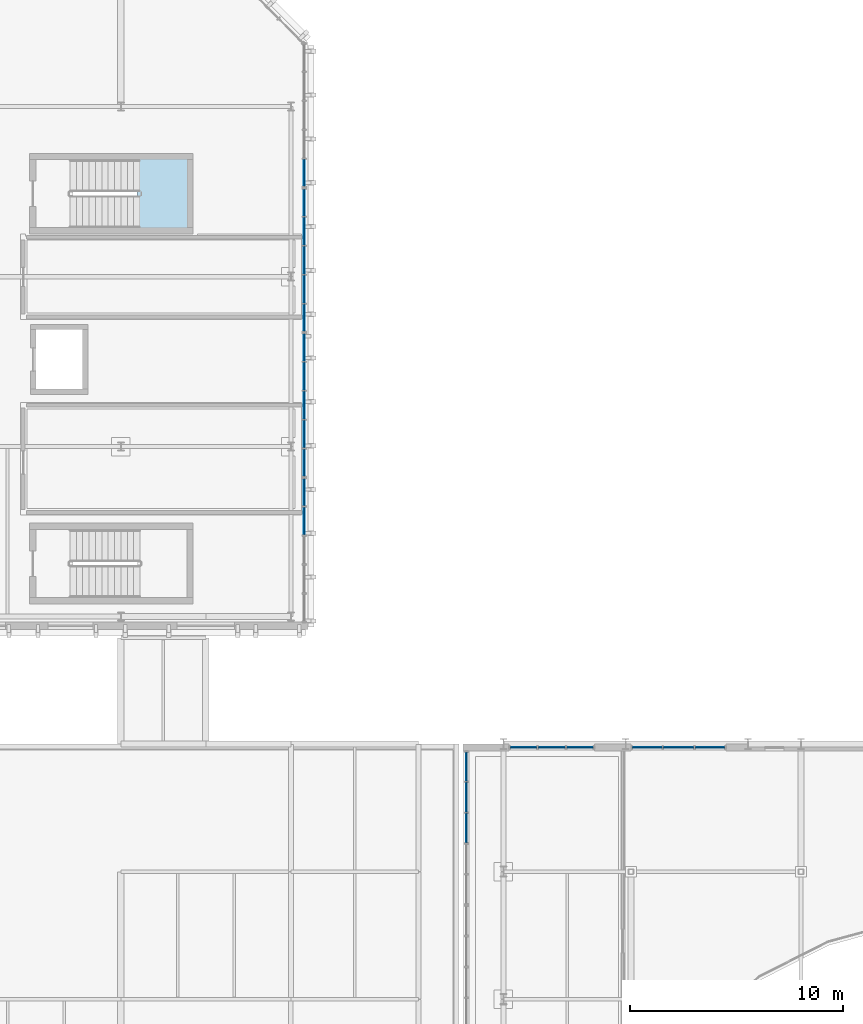
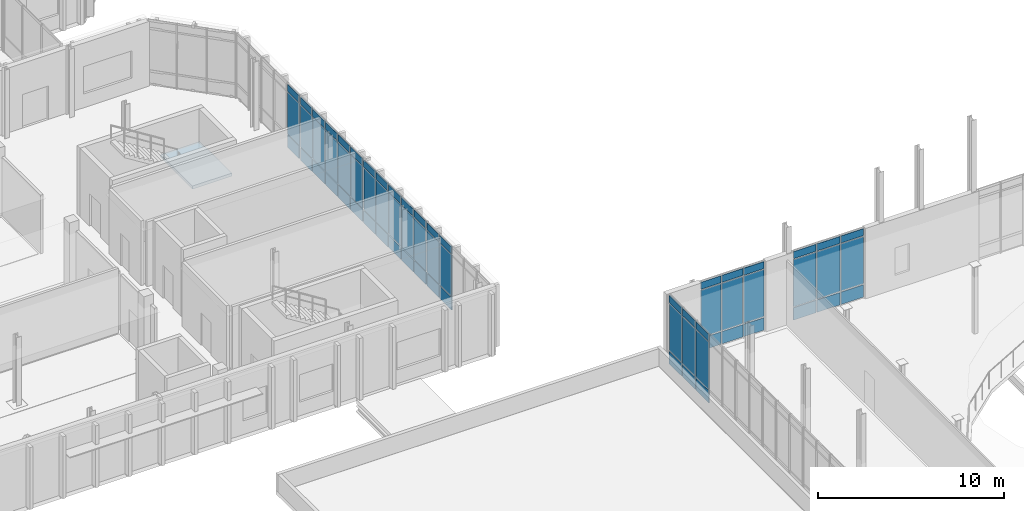
# One storey, part 46 of 86: 66 plates, 1 slab, 8 elements without a shape of their own.
"""IFC4 building model written with IfcOpenShell, lengths in metres."""

from ifc_helpers import new_model, si_unit, direction, frame, origin, origin_2d, place, context, subcontext, project, spatial, polyline, rectangle, outline, extrude, material, layer, layer_set, type_object, element, aggregate, save


model = new_model("IFC4")

# Units and contexts
model_context = context("Model", 3, precision=1e-05, world=origin(), true_north=direction((0.0, 1.0)))
body_context = subcontext(model_context, "Body", "Model", "MODEL_VIEW")
ifc_project = project(units=[si_unit("LENGTHUNIT", "METRE"), si_unit("AREAUNIT", "SQUARE_METRE"), si_unit("VOLUMEUNIT", "CUBIC_METRE"), si_unit("PLANEANGLEUNIT", "RADIAN"), si_unit("MASSUNIT", "GRAM", prefix="KILO")], contexts=[model_context])

# Site, building, storey
site_placement = place(None, origin())
site = spatial("IfcSite", under=ifc_project, at=site_placement, CompositionType="ELEMENT")
building_placement = place(site_placement, origin())
building = spatial("IfcBuilding", under=site, at=building_placement, Name="Cymarion Research Institute", CompositionType="ELEMENT")
storey_placement = place(building_placement, frame((0.0, 0.0, 13.800048828125)))
storey = spatial("IfcBuildingStorey", under=building, at=storey_placement, Name="L03", CompositionType="ELEMENT", Elevation=13.800048828125)

# Curtain wall, plates
ifc_material_1 = material(Name="Anodised aluminium unitised curtain wall with Low-E glazing", Category="aluminium")
curtain_wall_type_1 = type_object("IfcCurtainWallType", Name="UNITISED CURTAIN WALL CW32 4460X4620", PredefinedType="NOTDEFINED", material=ifc_material_1)
curtain_wall_1_placement = place(storey_placement, origin())
curtain_wall_1 = element("IfcCurtainWall", 1, at=curtain_wall_1_placement, inside=storey, type_object=curtain_wall_type_1, Name="L03 V2 unitised curtain wall CW32 #145", PredefinedType="NOTDEFINED")
ifc_material_2 = material(Name="Insulated anodised aluminium spandrel panel", Category="aluminium")
ifc_layer_1 = layer(ifc_material_2, 0.06005859375)
ifc_layer_set_1 = layer_set([ifc_layer_1], Name="Insulated anodised aluminium spandrel panel")
plate_type_1 = type_object("IfcPlateType", Name="INSULATED ALUMINIUM SPANDREL PANEL SP01 60MM", PredefinedType="SHEET", material=ifc_layer_set_1)
plate_1_placement = place(storey_placement, frame((66.3154296875, 41.340087890625, 0.059814453125), z_axis=(0.0, 0.0, 1.0), x_axis=(-1.0, 0.0, 0.0)))
plate_1 = element("IfcPlate", 2, at=plate_1_placement, type_object=plate_type_1, Name="CW32 panel 1.1", PredefinedType="SHEET", context=body_context, shape_type="SweptSolid", body=[
    extrude(rectangle(XDim=1.398193359375, YDim=0.06005859375, at=origin_2d()), origin(), (0.0, 0.0, 1.0), 0.81005859375),
])
plate_2_placement = place(storey_placement, frame((66.3154296875, 41.340087890625, 4.099853515625), z_axis=(0.0, 0.0, 1.0), x_axis=(-1.0, 0.0, 0.0)))
plate_2 = element("IfcPlate", 3, at=plate_2_placement, type_object=plate_type_1, Name="CW32 panel 1.3", PredefinedType="SHEET", context=body_context, shape_type="SweptSolid", body=[
    extrude(rectangle(XDim=1.398193359375, YDim=0.06005859375, at=origin_2d()), origin(), (0.0, 0.0, 1.0), 0.4599609375),
])
plate_3_placement = place(storey_placement, frame((64.84228515625, 41.340087890625, 0.059814453125), z_axis=(0.0, 0.0, 1.0), x_axis=(-1.0, 0.0, 0.0)))
plate_3 = element("IfcPlate", 4, at=plate_3_placement, type_object=plate_type_1, Name="CW32 panel 2.1", PredefinedType="SHEET", context=body_context, shape_type="SweptSolid", body=[
    extrude(rectangle(XDim=1.42822265625, YDim=0.06005859375, at=origin_2d()), origin(), (0.0, 0.0, 1.0), 0.81005859375),
])
plate_4_placement = place(storey_placement, frame((64.84228515625, 41.340087890625, 4.099853515625), z_axis=(0.0, 0.0, 1.0), x_axis=(-1.0, 0.0, 0.0)))
plate_4 = element("IfcPlate", 5, at=plate_4_placement, type_object=plate_type_1, Name="CW32 panel 2.3", PredefinedType="SHEET", context=body_context, shape_type="SweptSolid", body=[
    extrude(rectangle(XDim=1.42822265625, YDim=0.06005859375, at=origin_2d()), origin(), (0.0, 0.0, 1.0), 0.4599609375),
])
plate_5_placement = place(storey_placement, frame((63.369140625, 41.340087890625, 0.059814453125), z_axis=(0.0, 0.0, 1.0), x_axis=(-1.0, 0.0, 0.0)))
plate_5 = element("IfcPlate", 6, at=plate_5_placement, type_object=plate_type_1, Name="CW32 panel 3.1", PredefinedType="SHEET", context=body_context, shape_type="SweptSolid", body=[
    extrude(rectangle(XDim=1.398193359375, YDim=0.06005859375, at=origin_2d()), origin(), (0.0, 0.0, 1.0), 0.81005859375),
])
plate_6_placement = place(storey_placement, frame((63.369140625, 41.340087890625, 4.099853515625), z_axis=(0.0, 0.0, 1.0), x_axis=(-1.0, 0.0, 0.0)))
plate_6 = element("IfcPlate", 7, at=plate_6_placement, type_object=plate_type_1, Name="CW32 panel 3.3", PredefinedType="SHEET", context=body_context, shape_type="SweptSolid", body=[
    extrude(rectangle(XDim=1.398193359375, YDim=0.06005859375, at=origin_2d()), origin(), (0.0, 0.0, 1.0), 0.4599609375),
])

curtain_wall_type_2 = type_object("IfcCurtainWallType", Name="UNITISED CURTAIN WALL CW33 4030X4620", PredefinedType="NOTDEFINED", material=ifc_material_1)
curtain_wall_2_placement = place(storey_placement, origin())
curtain_wall_2 = element("IfcCurtainWall", 8, at=curtain_wall_2_placement, inside=storey, type_object=curtain_wall_type_2, Name="L03 V2 unitised curtain wall CW33 #146", PredefinedType="NOTDEFINED")
plate_7_placement = place(storey_placement, frame((60.201171875, 41.340087890625, 0.059814453125), z_axis=(0.0, 0.0, 1.0), x_axis=(-1.0, 0.0, 0.0)))
plate_7 = element("IfcPlate", 9, at=plate_7_placement, type_object=plate_type_1, Name="CW33 panel 1.1", PredefinedType="SHEET", context=body_context, shape_type="SweptSolid", body=[
    extrude(rectangle(XDim=1.25244140625, YDim=0.06005859375, at=origin_2d()), origin(), (0.0, 0.0, 1.0), 0.81005859375),
])
plate_8_placement = place(storey_placement, frame((60.201171875, 41.340087890625, 4.099853515625), z_axis=(0.0, 0.0, 1.0), x_axis=(-1.0, 0.0, 0.0)))
plate_8 = element("IfcPlate", 10, at=plate_8_placement, type_object=plate_type_1, Name="CW33 panel 1.3", PredefinedType="SHEET", context=body_context, shape_type="SweptSolid", body=[
    extrude(rectangle(XDim=1.25244140625, YDim=0.06005859375, at=origin_2d()), origin(), (0.0, 0.0, 1.0), 0.4599609375),
])
plate_9_placement = place(storey_placement, frame((58.87353515625, 41.340087890625, 0.059814453125), z_axis=(0.0, 0.0, 1.0), x_axis=(-1.0, 0.0, 0.0)))
plate_9 = element("IfcPlate", 11, at=plate_9_placement, type_object=plate_type_1, Name="CW33 panel 2.1", PredefinedType="SHEET", context=body_context, shape_type="SweptSolid", body=[
    extrude(rectangle(XDim=1.282470703125, YDim=0.06005859375, at=origin_2d()), origin(), (0.0, 0.0, 1.0), 0.81005859375),
])
plate_10_placement = place(storey_placement, frame((58.87353515625, 41.340087890625, 4.099853515625), z_axis=(0.0, 0.0, 1.0), x_axis=(-1.0, 0.0, 0.0)))
plate_10 = element("IfcPlate", 12, at=plate_10_placement, type_object=plate_type_1, Name="CW33 panel 2.3", PredefinedType="SHEET", context=body_context, shape_type="SweptSolid", body=[
    extrude(rectangle(XDim=1.282470703125, YDim=0.06005859375, at=origin_2d()), origin(), (0.0, 0.0, 1.0), 0.4599609375),
])
plate_11_placement = place(storey_placement, frame((57.546142578125, 41.340087890625, 0.059814453125), z_axis=(0.0, 0.0, 1.0), x_axis=(-1.0, 0.0, 0.0)))
plate_11 = element("IfcPlate", 13, at=plate_11_placement, type_object=plate_type_1, Name="CW33 panel 3.1", PredefinedType="SHEET", context=body_context, shape_type="SweptSolid", body=[
    extrude(rectangle(XDim=1.25244140625, YDim=0.06005859375, at=origin_2d()), origin(), (0.0, 0.0, 1.0), 0.81005859375),
])
plate_12_placement = place(storey_placement, frame((57.546142578125, 41.340087890625, 4.099853515625), z_axis=(0.0, 0.0, 1.0), x_axis=(-1.0, 0.0, 0.0)))
plate_12 = element("IfcPlate", 14, at=plate_12_placement, type_object=plate_type_1, Name="CW33 panel 3.3", PredefinedType="SHEET", context=body_context, shape_type="SweptSolid", body=[
    extrude(rectangle(XDim=1.25244140625, YDim=0.06005859375, at=origin_2d()), origin(), (0.0, 0.0, 1.0), 0.4599609375),
])

curtain_wall_type_3 = type_object("IfcCurtainWallType", Name="UNITISED CURTAIN WALL CW34 7260X4620", PredefinedType="NOTDEFINED", material=ifc_material_1)
curtain_wall_3_placement = place(storey_placement, origin())
curtain_wall_3 = element("IfcCurtainWall", 15, at=curtain_wall_3_placement, inside=storey, type_object=curtain_wall_type_3, Name="L03 V2 unitised curtain wall CW34 #147", PredefinedType="NOTDEFINED")
plate_13_placement = place(storey_placement, frame((54.860107421875, 40.439453125, 0.059814453125), z_axis=(0.0, 0.0, 1.0), x_axis=(0.0, -1.0, 0.0)))
plate_13 = element("IfcPlate", 16, at=plate_13_placement, type_object=plate_type_1, Name="CW34 panel 1.1", PredefinedType="SHEET", context=body_context, shape_type="SweptSolid", body=[
    extrude(rectangle(XDim=1.361083984375, YDim=0.06005859375, at=origin_2d()), origin(), (0.0, 0.0, 1.0), 0.81005859375),
])
plate_14_placement = place(storey_placement, frame((54.860107421875, 40.439453125, 4.099853515625), z_axis=(0.0, 0.0, 1.0), x_axis=(0.0, -1.0, 0.0)))
plate_14 = element("IfcPlate", 17, at=plate_14_placement, type_object=plate_type_1, Name="CW34 panel 1.3", PredefinedType="SHEET", context=body_context, shape_type="SweptSolid", body=[
    extrude(rectangle(XDim=1.361083984375, YDim=0.06005859375, at=origin_2d()), origin(), (0.0, 0.0, 1.0), 0.4599609375),
])
plate_15_placement = place(storey_placement, frame((54.860107421875, 39.003173828125, 0.059814453125), z_axis=(0.0, 0.0, 1.0), x_axis=(0.0, -1.0, 0.0)))
plate_15 = element("IfcPlate", 18, at=plate_15_placement, type_object=plate_type_1, Name="CW34 panel 2.1", PredefinedType="SHEET", context=body_context, shape_type="SweptSolid", body=[
    extrude(rectangle(XDim=1.39111328125, YDim=0.06005859375, at=origin_2d()), origin(), (0.0, 0.0, 1.0), 0.81005859375),
])
plate_16_placement = place(storey_placement, frame((54.860107421875, 39.003173828125, 4.099853515625), z_axis=(0.0, 0.0, 1.0), x_axis=(0.0, -1.0, 0.0)))
plate_16 = element("IfcPlate", 19, at=plate_16_placement, type_object=plate_type_1, Name="CW34 panel 2.3", PredefinedType="SHEET", context=body_context, shape_type="SweptSolid", body=[
    extrude(rectangle(XDim=1.39111328125, YDim=0.06005859375, at=origin_2d()), origin(), (0.0, 0.0, 1.0), 0.4599609375),
])
plate_17_placement = place(storey_placement, frame((54.860107421875, 37.552001953125, 0.059814453125), z_axis=(0.0, 0.0, 1.0), x_axis=(0.0, -1.0, 0.0)))
plate_17 = element("IfcPlate", 20, at=plate_17_placement, type_object=plate_type_1, Name="CW34 panel 3.1", PredefinedType="SHEET", context=body_context, shape_type="SweptSolid", body=[
    extrude(rectangle(XDim=1.39111328125, YDim=0.06005859375, at=origin_2d()), origin(), (0.0, 0.0, 1.0), 0.81005859375),
])
plate_18_placement = place(storey_placement, frame((54.860107421875, 37.552001953125, 4.099853515625), z_axis=(0.0, 0.0, 1.0), x_axis=(0.0, -1.0, 0.0)))
plate_18 = element("IfcPlate", 21, at=plate_18_placement, type_object=plate_type_1, Name="CW34 panel 3.3", PredefinedType="SHEET", context=body_context, shape_type="SweptSolid", body=[
    extrude(rectangle(XDim=1.39111328125, YDim=0.06005859375, at=origin_2d()), origin(), (0.0, 0.0, 1.0), 0.4599609375),
])

curtain_wall_type_4 = type_object("IfcCurtainWallType", Name="UNITISED CURTAIN WALL CW20 6820X4250", PredefinedType="NOTDEFINED", material=ifc_material_1)
curtain_wall_4_placement = place(storey_placement, origin())
curtain_wall_4 = element("IfcCurtainWall", 22, at=curtain_wall_4_placement, inside=storey, type_object=curtain_wall_type_4, Name="L03 V4 unitised curtain wall CW20 #152", PredefinedType="NOTDEFINED")
plate_19_placement = place(storey_placement, frame((47.22998046875, 51.99560546875, 0.059814453125), z_axis=(0.0, 0.0, 1.0), x_axis=(0.0, 1.0, 0.0)))
plate_19 = element("IfcPlate", 23, at=plate_19_placement, type_object=plate_type_1, Name="CW20 panel 4.1", PredefinedType="SHEET", context=body_context, shape_type="SweptSolid", body=[
    extrude(rectangle(XDim=1.303955078125, YDim=0.06005859375, at=origin_2d()), origin(), (0.0, 0.0, 1.0), 0.81005859375),
])
plate_20_placement = place(storey_placement, frame((47.22998046875, 51.99560546875, 3.72998046875), z_axis=(0.0, 0.0, 1.0), x_axis=(0.0, 1.0, 0.0)))
plate_20 = element("IfcPlate", 24, at=plate_20_placement, type_object=plate_type_1, Name="CW20 panel 4.3", PredefinedType="SHEET", context=body_context, shape_type="SweptSolid", body=[
    extrude(rectangle(XDim=1.303955078125, YDim=0.06005859375, at=origin_2d()), origin(), (0.0, 0.0, 1.0), 0.4599609375),
])
plate_21_placement = place(storey_placement, frame((47.22998046875, 53.344482421875, 0.059814453125), z_axis=(0.0, 0.0, 1.0), x_axis=(0.0, 1.0, 0.0)))
plate_21 = element("IfcPlate", 25, at=plate_21_placement, type_object=plate_type_1, Name="CW20 panel 5.1", PredefinedType="SHEET", context=body_context, shape_type="SweptSolid", body=[
    extrude(rectangle(XDim=1.27392578125, YDim=0.06005859375, at=origin_2d()), origin(), (0.0, 0.0, 1.0), 0.81005859375),
])
plate_22_placement = place(storey_placement, frame((47.22998046875, 53.344482421875, 3.72998046875), z_axis=(0.0, 0.0, 1.0), x_axis=(0.0, 1.0, 0.0)))
plate_22 = element("IfcPlate", 26, at=plate_22_placement, type_object=plate_type_1, Name="CW20 panel 5.3", PredefinedType="SHEET", context=body_context, shape_type="SweptSolid", body=[
    extrude(rectangle(XDim=1.27392578125, YDim=0.06005859375, at=origin_2d()), origin(), (0.0, 0.0, 1.0), 0.4599609375),
])

curtain_wall_5_placement = place(storey_placement, origin())
curtain_wall_5 = element("IfcCurtainWall", 27, at=curtain_wall_5_placement, inside=storey, type_object=curtain_wall_type_4, Name="L03 V4 unitised curtain wall CW20 #153", PredefinedType="NOTDEFINED")
plate_23_placement = place(storey_placement, frame((47.22998046875, 54.738525390625, 0.059814453125), z_axis=(0.0, 0.0, 1.0), x_axis=(0.0, 1.0, 0.0)))
plate_23 = element("IfcPlate", 28, at=plate_23_placement, type_object=plate_type_1, Name="CW20 panel 1.1", PredefinedType="SHEET", context=body_context, shape_type="SweptSolid", body=[
    extrude(rectangle(XDim=1.27392578125, YDim=0.06005859375, at=origin_2d()), origin(), (0.0, 0.0, 1.0), 0.81005859375),
])
plate_24_placement = place(storey_placement, frame((47.22998046875, 54.738525390625, 3.72998046875), z_axis=(0.0, 0.0, 1.0), x_axis=(0.0, 1.0, 0.0)))
plate_24 = element("IfcPlate", 29, at=plate_24_placement, type_object=plate_type_1, Name="CW20 panel 1.3", PredefinedType="SHEET", context=body_context, shape_type="SweptSolid", body=[
    extrude(rectangle(XDim=1.27392578125, YDim=0.06005859375, at=origin_2d()), origin(), (0.0, 0.0, 1.0), 0.4599609375),
])
plate_25_placement = place(storey_placement, frame((47.22998046875, 56.08740234375, 0.059814453125), z_axis=(0.0, 0.0, 1.0), x_axis=(0.0, 1.0, 0.0)))
plate_25 = element("IfcPlate", 30, at=plate_25_placement, type_object=plate_type_1, Name="CW20 panel 2.1", PredefinedType="SHEET", context=body_context, shape_type="SweptSolid", body=[
    extrude(rectangle(XDim=1.303955078125, YDim=0.06005859375, at=origin_2d()), origin(), (0.0, 0.0, 1.0), 0.81005859375),
])
plate_26_placement = place(storey_placement, frame((47.22998046875, 56.08740234375, 3.72998046875), z_axis=(0.0, 0.0, 1.0), x_axis=(0.0, 1.0, 0.0)))
plate_26 = element("IfcPlate", 31, at=plate_26_placement, type_object=plate_type_1, Name="CW20 panel 2.3", PredefinedType="SHEET", context=body_context, shape_type="SweptSolid", body=[
    extrude(rectangle(XDim=1.303955078125, YDim=0.06005859375, at=origin_2d()), origin(), (0.0, 0.0, 1.0), 0.4599609375),
])
plate_27_placement = place(storey_placement, frame((47.22998046875, 57.451171875, 0.059814453125), z_axis=(0.0, 0.0, 1.0), x_axis=(0.0, 1.0, 0.0)))
plate_27 = element("IfcPlate", 32, at=plate_27_placement, type_object=plate_type_1, Name="CW20 panel 3.1", PredefinedType="SHEET", context=body_context, shape_type="SweptSolid", body=[
    extrude(rectangle(XDim=1.303955078125, YDim=0.06005859375, at=origin_2d()), origin(), (0.0, 0.0, 1.0), 0.81005859375),
])
plate_28_placement = place(storey_placement, frame((47.22998046875, 57.451171875, 3.72998046875), z_axis=(0.0, 0.0, 1.0), x_axis=(0.0, 1.0, 0.0)))
plate_28 = element("IfcPlate", 33, at=plate_28_placement, type_object=plate_type_1, Name="CW20 panel 3.3", PredefinedType="SHEET", context=body_context, shape_type="SweptSolid", body=[
    extrude(rectangle(XDim=1.303955078125, YDim=0.06005859375, at=origin_2d()), origin(), (0.0, 0.0, 1.0), 0.4599609375),
])
plate_29_placement = place(storey_placement, frame((47.22998046875, 58.815185546875, 0.059814453125), z_axis=(0.0, 0.0, 1.0), x_axis=(0.0, 1.0, 0.0)))
plate_29 = element("IfcPlate", 34, at=plate_29_placement, type_object=plate_type_1, Name="CW20 panel 4.1", PredefinedType="SHEET", context=body_context, shape_type="SweptSolid", body=[
    extrude(rectangle(XDim=1.303955078125, YDim=0.06005859375, at=origin_2d()), origin(), (0.0, 0.0, 1.0), 0.81005859375),
])
plate_30_placement = place(storey_placement, frame((47.22998046875, 58.815185546875, 3.72998046875), z_axis=(0.0, 0.0, 1.0), x_axis=(0.0, 1.0, 0.0)))
plate_30 = element("IfcPlate", 35, at=plate_30_placement, type_object=plate_type_1, Name="CW20 panel 4.3", PredefinedType="SHEET", context=body_context, shape_type="SweptSolid", body=[
    extrude(rectangle(XDim=1.303955078125, YDim=0.06005859375, at=origin_2d()), origin(), (0.0, 0.0, 1.0), 0.4599609375),
])
plate_31_placement = place(storey_placement, frame((47.22998046875, 60.1640625, 0.059814453125), z_axis=(0.0, 0.0, 1.0), x_axis=(0.0, 1.0, 0.0)))
plate_31 = element("IfcPlate", 36, at=plate_31_placement, type_object=plate_type_1, Name="CW20 panel 5.1", PredefinedType="SHEET", context=body_context, shape_type="SweptSolid", body=[
    extrude(rectangle(XDim=1.27392578125, YDim=0.06005859375, at=origin_2d()), origin(), (0.0, 0.0, 1.0), 0.81005859375),
])
plate_32_placement = place(storey_placement, frame((47.22998046875, 60.1640625, 3.72998046875), z_axis=(0.0, 0.0, 1.0), x_axis=(0.0, 1.0, 0.0)))
plate_32 = element("IfcPlate", 37, at=plate_32_placement, type_object=plate_type_1, Name="CW20 panel 5.3", PredefinedType="SHEET", context=body_context, shape_type="SweptSolid", body=[
    extrude(rectangle(XDim=1.27392578125, YDim=0.06005859375, at=origin_2d()), origin(), (0.0, 0.0, 1.0), 0.4599609375),
])

curtain_wall_6_placement = place(storey_placement, origin())
curtain_wall_6 = element("IfcCurtainWall", 38, at=curtain_wall_6_placement, inside=storey, type_object=curtain_wall_type_4, Name="L03 V4 unitised curtain wall CW20 #154", PredefinedType="NOTDEFINED")
plate_33_placement = place(storey_placement, frame((47.22998046875, 61.557861328125, 0.059814453125), z_axis=(0.0, 0.0, 1.0), x_axis=(0.0, 1.0, 0.0)))
plate_33 = element("IfcPlate", 39, at=plate_33_placement, type_object=plate_type_1, Name="CW20 panel 1.1", PredefinedType="SHEET", context=body_context, shape_type="SweptSolid", body=[
    extrude(rectangle(XDim=1.27392578125, YDim=0.06005859375, at=origin_2d()), origin(), (0.0, 0.0, 1.0), 0.81005859375),
])
plate_34_placement = place(storey_placement, frame((47.22998046875, 61.557861328125, 3.72998046875), z_axis=(0.0, 0.0, 1.0), x_axis=(0.0, 1.0, 0.0)))
plate_34 = element("IfcPlate", 40, at=plate_34_placement, type_object=plate_type_1, Name="CW20 panel 1.3", PredefinedType="SHEET", context=body_context, shape_type="SweptSolid", body=[
    extrude(rectangle(XDim=1.27392578125, YDim=0.06005859375, at=origin_2d()), origin(), (0.0, 0.0, 1.0), 0.4599609375),
])
plate_35_placement = place(storey_placement, frame((47.22998046875, 62.90673828125, 0.059814453125), z_axis=(0.0, 0.0, 1.0), x_axis=(0.0, 1.0, 0.0)))
plate_35 = element("IfcPlate", 41, at=plate_35_placement, type_object=plate_type_1, Name="CW20 panel 2.1", PredefinedType="SHEET", context=body_context, shape_type="SweptSolid", body=[
    extrude(rectangle(XDim=1.303955078125, YDim=0.06005859375, at=origin_2d()), origin(), (0.0, 0.0, 1.0), 0.81005859375),
])
plate_36_placement = place(storey_placement, frame((47.22998046875, 62.90673828125, 3.72998046875), z_axis=(0.0, 0.0, 1.0), x_axis=(0.0, 1.0, 0.0)))
plate_36 = element("IfcPlate", 42, at=plate_36_placement, type_object=plate_type_1, Name="CW20 panel 2.3", PredefinedType="SHEET", context=body_context, shape_type="SweptSolid", body=[
    extrude(rectangle(XDim=1.303955078125, YDim=0.06005859375, at=origin_2d()), origin(), (0.0, 0.0, 1.0), 0.4599609375),
])
plate_37_placement = place(storey_placement, frame((47.22998046875, 64.270751953125, 0.059814453125), z_axis=(0.0, 0.0, 1.0), x_axis=(0.0, 1.0, 0.0)))
plate_37 = element("IfcPlate", 43, at=plate_37_placement, type_object=plate_type_1, Name="CW20 panel 3.1", PredefinedType="SHEET", context=body_context, shape_type="SweptSolid", body=[
    extrude(rectangle(XDim=1.303955078125, YDim=0.06005859375, at=origin_2d()), origin(), (0.0, 0.0, 1.0), 0.81005859375),
])
plate_38_placement = place(storey_placement, frame((47.22998046875, 64.270751953125, 3.72998046875), z_axis=(0.0, 0.0, 1.0), x_axis=(0.0, 1.0, 0.0)))
plate_38 = element("IfcPlate", 44, at=plate_38_placement, type_object=plate_type_1, Name="CW20 panel 3.3", PredefinedType="SHEET", context=body_context, shape_type="SweptSolid", body=[
    extrude(rectangle(XDim=1.303955078125, YDim=0.06005859375, at=origin_2d()), origin(), (0.0, 0.0, 1.0), 0.4599609375),
])
plate_39_placement = place(storey_placement, frame((47.22998046875, 65.634765625, 0.059814453125), z_axis=(0.0, 0.0, 1.0), x_axis=(0.0, 1.0, 0.0)))
plate_39 = element("IfcPlate", 45, at=plate_39_placement, type_object=plate_type_1, Name="CW20 panel 4.1", PredefinedType="SHEET", context=body_context, shape_type="SweptSolid", body=[
    extrude(rectangle(XDim=1.303955078125, YDim=0.06005859375, at=origin_2d()), origin(), (0.0, 0.0, 1.0), 0.81005859375),
])
plate_40_placement = place(storey_placement, frame((47.22998046875, 65.634765625, 3.72998046875), z_axis=(0.0, 0.0, 1.0), x_axis=(0.0, 1.0, 0.0)))
plate_40 = element("IfcPlate", 46, at=plate_40_placement, type_object=plate_type_1, Name="CW20 panel 4.3", PredefinedType="SHEET", context=body_context, shape_type="SweptSolid", body=[
    extrude(rectangle(XDim=1.303955078125, YDim=0.06005859375, at=origin_2d()), origin(), (0.0, 0.0, 1.0), 0.4599609375),
])
plate_41_placement = place(storey_placement, frame((47.22998046875, 66.983642578125, 0.059814453125), z_axis=(0.0, 0.0, 1.0), x_axis=(0.0, 1.0, 0.0)))
plate_41 = element("IfcPlate", 47, at=plate_41_placement, type_object=plate_type_1, Name="CW20 panel 5.1", PredefinedType="SHEET", context=body_context, shape_type="SweptSolid", body=[
    extrude(rectangle(XDim=1.27392578125, YDim=0.06005859375, at=origin_2d()), origin(), (0.0, 0.0, 1.0), 0.81005859375),
])
plate_42_placement = place(storey_placement, frame((47.22998046875, 66.983642578125, 3.72998046875), z_axis=(0.0, 0.0, 1.0), x_axis=(0.0, 1.0, 0.0)))
plate_42 = element("IfcPlate", 48, at=plate_42_placement, type_object=plate_type_1, Name="CW20 panel 5.3", PredefinedType="SHEET", context=body_context, shape_type="SweptSolid", body=[
    extrude(rectangle(XDim=1.27392578125, YDim=0.06005859375, at=origin_2d()), origin(), (0.0, 0.0, 1.0), 0.4599609375),
])

curtain_wall_7_placement = place(storey_placement, origin())
curtain_wall_7 = element("IfcCurtainWall", 49, at=curtain_wall_7_placement, inside=storey, type_object=curtain_wall_type_4, Name="L03 V4 unitised curtain wall CW20 #155", PredefinedType="NOTDEFINED")
plate_43_placement = place(storey_placement, frame((47.22998046875, 68.37744140625, 0.059814453125), z_axis=(0.0, 0.0, 1.0), x_axis=(0.0, 1.0, 0.0)))
plate_43 = element("IfcPlate", 50, at=plate_43_placement, type_object=plate_type_1, Name="CW20 panel 1.1", PredefinedType="SHEET", context=body_context, shape_type="SweptSolid", body=[
    extrude(rectangle(XDim=1.27392578125, YDim=0.06005859375, at=origin_2d()), origin(), (0.0, 0.0, 1.0), 0.81005859375),
])
plate_44_placement = place(storey_placement, frame((47.22998046875, 68.37744140625, 3.72998046875), z_axis=(0.0, 0.0, 1.0), x_axis=(0.0, 1.0, 0.0)))
plate_44 = element("IfcPlate", 51, at=plate_44_placement, type_object=plate_type_1, Name="CW20 panel 1.3", PredefinedType="SHEET", context=body_context, shape_type="SweptSolid", body=[
    extrude(rectangle(XDim=1.27392578125, YDim=0.06005859375, at=origin_2d()), origin(), (0.0, 0.0, 1.0), 0.4599609375),
])

# Stair, slab
ifc_material_3 = material(Name="Concrete C35/45", Category="concrete")
stair_type = type_object("IfcStairType", Name="REINFORCED CONCRETE DOGLEG STAIR STR-4500", PredefinedType="HALF_TURN_STAIR", material=ifc_material_3)
stair_placement = place(storey_placement, origin())
stair = element("IfcStair", 52, at=stair_placement, inside=storey, type_object=stair_type, Name="L03 Core C8 Smoke-Proof Exit Stair ST8", PredefinedType="HALF_TURN_STAIR")
ifc_layer_2 = layer(ifc_material_3, 0.199951171875)
ifc_layer_set_2 = layer_set([ifc_layer_2], Name="Concrete C35/45")
slab_type = type_object("IfcSlabType", Name="REINFORCED CONCRETE STAIR LANDING LDG200", PredefinedType="LANDING", material=ifc_layer_set_2)
slab_placement = place(storey_placement, frame((0.0, 0.0, 2.050048828125)))
slab = element("IfcSlab", 53, at=slab_placement, type_object=slab_type, Name="ST8 landing 1", PredefinedType="LANDING", context=body_context, shape_type="SweptSolid", body=[
    extrude(outline(polyline([(39.3798828125, 65.679931640625), (39.3798828125, 69.1201171875), (41.820068359375, 69.1201171875), (41.820068359375, 65.679931640625), (39.3798828125, 65.679931640625)])), origin(), (0.0, 0.0, 1.0), 0.199951171875),
])
aggregate(stair, [slab])

# Plate
ifc_material_4 = material(Name="Low-E double solar-control glazing", Category="glass")
ifc_layer_3 = layer(ifc_material_4, 0.035888671875)
ifc_layer_set_3 = layer_set([ifc_layer_3], Name="Low-E double solar-control glazing")
plate_type_2 = type_object("IfcPlateType", Name="SOLAR CONTROL GLAZED VISION PANEL GP01 36MM", PredefinedType="CURTAIN_PANEL", material=ifc_layer_set_3)
plate_45_placement = place(storey_placement, frame((66.3154296875, 41.340087890625, 0.9296875), z_axis=(0.0, 0.0, 1.0), x_axis=(-1.0, 0.0, 0.0)))
plate_45 = element("IfcPlate", 54, at=plate_45_placement, type_object=plate_type_2, Name="CW32 panel 1.2", PredefinedType="CURTAIN_PANEL", context=body_context, shape_type="SweptSolid", body=[
    extrude(rectangle(XDim=1.398193359375, YDim=0.035888671875, at=origin_2d()), origin(), (0.0, 0.0, 1.0), 3.110107421875),
])

plate_46_placement = place(storey_placement, frame((64.84228515625, 41.340087890625, 0.9296875), z_axis=(0.0, 0.0, 1.0), x_axis=(-1.0, 0.0, 0.0)))
plate_46 = element("IfcPlate", 55, at=plate_46_placement, type_object=plate_type_2, Name="CW32 panel 2.2", PredefinedType="CURTAIN_PANEL", context=body_context, shape_type="SweptSolid", body=[
    extrude(rectangle(XDim=1.42822265625, YDim=0.035888671875, at=origin_2d()), origin(), (0.0, 0.0, 1.0), 3.110107421875),
])

plate_47_placement = place(storey_placement, frame((63.369140625, 41.340087890625, 0.9296875), z_axis=(0.0, 0.0, 1.0), x_axis=(-1.0, 0.0, 0.0)))
plate_47 = element("IfcPlate", 56, at=plate_47_placement, type_object=plate_type_2, Name="CW32 panel 3.2", PredefinedType="CURTAIN_PANEL", context=body_context, shape_type="SweptSolid", body=[
    extrude(rectangle(XDim=1.398193359375, YDim=0.035888671875, at=origin_2d()), origin(), (0.0, 0.0, 1.0), 3.110107421875),
])

aggregate(curtain_wall_1, [plate_1, plate_45, plate_2, plate_3, plate_46, plate_4, plate_5, plate_47, plate_6])

plate_48_placement = place(storey_placement, frame((60.201171875, 41.340087890625, 0.9296875), z_axis=(0.0, 0.0, 1.0), x_axis=(-1.0, 0.0, 0.0)))
plate_48 = element("IfcPlate", 57, at=plate_48_placement, type_object=plate_type_2, Name="CW33 panel 1.2", PredefinedType="CURTAIN_PANEL", context=body_context, shape_type="SweptSolid", body=[
    extrude(rectangle(XDim=1.25244140625, YDim=0.035888671875, at=origin_2d()), origin(), (0.0, 0.0, 1.0), 3.110107421875),
])

plate_49_placement = place(storey_placement, frame((58.87353515625, 41.340087890625, 0.9296875), z_axis=(0.0, 0.0, 1.0), x_axis=(-1.0, 0.0, 0.0)))
plate_49 = element("IfcPlate", 58, at=plate_49_placement, type_object=plate_type_2, Name="CW33 panel 2.2", PredefinedType="CURTAIN_PANEL", context=body_context, shape_type="SweptSolid", body=[
    extrude(rectangle(XDim=1.282470703125, YDim=0.035888671875, at=origin_2d()), origin(), (0.0, 0.0, 1.0), 3.110107421875),
])

plate_50_placement = place(storey_placement, frame((57.546142578125, 41.340087890625, 0.9296875), z_axis=(0.0, 0.0, 1.0), x_axis=(-1.0, 0.0, 0.0)))
plate_50 = element("IfcPlate", 59, at=plate_50_placement, type_object=plate_type_2, Name="CW33 panel 3.2", PredefinedType="CURTAIN_PANEL", context=body_context, shape_type="SweptSolid", body=[
    extrude(rectangle(XDim=1.25244140625, YDim=0.035888671875, at=origin_2d()), origin(), (0.0, 0.0, 1.0), 3.110107421875),
])

aggregate(curtain_wall_2, [plate_7, plate_48, plate_8, plate_9, plate_49, plate_10, plate_11, plate_50, plate_12])

plate_51_placement = place(storey_placement, frame((54.860107421875, 40.439453125, 0.9296875), z_axis=(0.0, 0.0, 1.0), x_axis=(0.0, -1.0, 0.0)))
plate_51 = element("IfcPlate", 60, at=plate_51_placement, type_object=plate_type_2, Name="CW34 panel 1.2", PredefinedType="CURTAIN_PANEL", context=body_context, shape_type="SweptSolid", body=[
    extrude(rectangle(XDim=1.361083984375, YDim=0.035888671875, at=origin_2d()), origin(), (0.0, 0.0, 1.0), 3.110107421875),
])

plate_52_placement = place(storey_placement, frame((54.860107421875, 39.003173828125, 0.9296875), z_axis=(0.0, 0.0, 1.0), x_axis=(0.0, -1.0, 0.0)))
plate_52 = element("IfcPlate", 61, at=plate_52_placement, type_object=plate_type_2, Name="CW34 panel 2.2", PredefinedType="CURTAIN_PANEL", context=body_context, shape_type="SweptSolid", body=[
    extrude(rectangle(XDim=1.39111328125, YDim=0.035888671875, at=origin_2d()), origin(), (0.0, 0.0, 1.0), 3.110107421875),
])

plate_53_placement = place(storey_placement, frame((54.860107421875, 37.552001953125, 0.9296875), z_axis=(0.0, 0.0, 1.0), x_axis=(0.0, -1.0, 0.0)))
plate_53 = element("IfcPlate", 62, at=plate_53_placement, type_object=plate_type_2, Name="CW34 panel 3.2", PredefinedType="CURTAIN_PANEL", context=body_context, shape_type="SweptSolid", body=[
    extrude(rectangle(XDim=1.39111328125, YDim=0.035888671875, at=origin_2d()), origin(), (0.0, 0.0, 1.0), 3.110107421875),
])

aggregate(curtain_wall_3, [plate_13, plate_51, plate_14, plate_15, plate_52, plate_16, plate_17, plate_53, plate_18])

plate_54_placement = place(storey_placement, frame((47.22998046875, 51.99560546875, 0.93017578125), z_axis=(0.0, 0.0, 1.0), x_axis=(0.0, 1.0, 0.0)))
plate_54 = element("IfcPlate", 63, at=plate_54_placement, type_object=plate_type_2, Name="CW20 panel 4.2", PredefinedType="CURTAIN_PANEL", context=body_context, shape_type="SweptSolid", body=[
    extrude(rectangle(XDim=1.303955078125, YDim=0.035888671875, at=origin_2d()), origin(), (0.0, 0.0, 1.0), 2.739990234375),
])

plate_55_placement = place(storey_placement, frame((47.22998046875, 53.344482421875, 0.93017578125), z_axis=(0.0, 0.0, 1.0), x_axis=(0.0, 1.0, 0.0)))
plate_55 = element("IfcPlate", 64, at=plate_55_placement, type_object=plate_type_2, Name="CW20 panel 5.2", PredefinedType="CURTAIN_PANEL", context=body_context, shape_type="SweptSolid", body=[
    extrude(rectangle(XDim=1.27392578125, YDim=0.035888671875, at=origin_2d()), origin(), (0.0, 0.0, 1.0), 2.739990234375),
])

aggregate(curtain_wall_4, [plate_19, plate_54, plate_20, plate_21, plate_55, plate_22])

plate_56_placement = place(storey_placement, frame((47.22998046875, 54.738525390625, 0.93017578125), z_axis=(0.0, 0.0, 1.0), x_axis=(0.0, 1.0, 0.0)))
plate_56 = element("IfcPlate", 65, at=plate_56_placement, type_object=plate_type_2, Name="CW20 panel 1.2", PredefinedType="CURTAIN_PANEL", context=body_context, shape_type="SweptSolid", body=[
    extrude(rectangle(XDim=1.27392578125, YDim=0.035888671875, at=origin_2d()), origin(), (0.0, 0.0, 1.0), 2.739990234375),
])

plate_57_placement = place(storey_placement, frame((47.22998046875, 56.08740234375, 0.93017578125), z_axis=(0.0, 0.0, 1.0), x_axis=(0.0, 1.0, 0.0)))
plate_57 = element("IfcPlate", 66, at=plate_57_placement, type_object=plate_type_2, Name="CW20 panel 2.2", PredefinedType="CURTAIN_PANEL", context=body_context, shape_type="SweptSolid", body=[
    extrude(rectangle(XDim=1.303955078125, YDim=0.035888671875, at=origin_2d()), origin(), (0.0, 0.0, 1.0), 2.739990234375),
])

plate_58_placement = place(storey_placement, frame((47.22998046875, 57.451171875, 0.93017578125), z_axis=(0.0, 0.0, 1.0), x_axis=(0.0, 1.0, 0.0)))
plate_58 = element("IfcPlate", 67, at=plate_58_placement, type_object=plate_type_2, Name="CW20 panel 3.2", PredefinedType="CURTAIN_PANEL", context=body_context, shape_type="SweptSolid", body=[
    extrude(rectangle(XDim=1.303955078125, YDim=0.035888671875, at=origin_2d()), origin(), (0.0, 0.0, 1.0), 2.739990234375),
])

plate_59_placement = place(storey_placement, frame((47.22998046875, 58.815185546875, 0.93017578125), z_axis=(0.0, 0.0, 1.0), x_axis=(0.0, 1.0, 0.0)))
plate_59 = element("IfcPlate", 68, at=plate_59_placement, type_object=plate_type_2, Name="CW20 panel 4.2", PredefinedType="CURTAIN_PANEL", context=body_context, shape_type="SweptSolid", body=[
    extrude(rectangle(XDim=1.303955078125, YDim=0.035888671875, at=origin_2d()), origin(), (0.0, 0.0, 1.0), 2.739990234375),
])

plate_60_placement = place(storey_placement, frame((47.22998046875, 60.1640625, 0.93017578125), z_axis=(0.0, 0.0, 1.0), x_axis=(0.0, 1.0, 0.0)))
plate_60 = element("IfcPlate", 69, at=plate_60_placement, type_object=plate_type_2, Name="CW20 panel 5.2", PredefinedType="CURTAIN_PANEL", context=body_context, shape_type="SweptSolid", body=[
    extrude(rectangle(XDim=1.27392578125, YDim=0.035888671875, at=origin_2d()), origin(), (0.0, 0.0, 1.0), 2.739990234375),
])

aggregate(curtain_wall_5, [plate_23, plate_56, plate_24, plate_25, plate_57, plate_26, plate_27, plate_58, plate_28, plate_29, plate_59, plate_30, plate_31, plate_60, plate_32])

plate_61_placement = place(storey_placement, frame((47.22998046875, 61.557861328125, 0.93017578125), z_axis=(0.0, 0.0, 1.0), x_axis=(0.0, 1.0, 0.0)))
plate_61 = element("IfcPlate", 70, at=plate_61_placement, type_object=plate_type_2, Name="CW20 panel 1.2", PredefinedType="CURTAIN_PANEL", context=body_context, shape_type="SweptSolid", body=[
    extrude(rectangle(XDim=1.27392578125, YDim=0.035888671875, at=origin_2d()), origin(), (0.0, 0.0, 1.0), 2.739990234375),
])

plate_62_placement = place(storey_placement, frame((47.22998046875, 62.90673828125, 0.93017578125), z_axis=(0.0, 0.0, 1.0), x_axis=(0.0, 1.0, 0.0)))
plate_62 = element("IfcPlate", 71, at=plate_62_placement, type_object=plate_type_2, Name="CW20 panel 2.2", PredefinedType="CURTAIN_PANEL", context=body_context, shape_type="SweptSolid", body=[
    extrude(rectangle(XDim=1.303955078125, YDim=0.035888671875, at=origin_2d()), origin(), (0.0, 0.0, 1.0), 2.739990234375),
])

plate_63_placement = place(storey_placement, frame((47.22998046875, 64.270751953125, 0.93017578125), z_axis=(0.0, 0.0, 1.0), x_axis=(0.0, 1.0, 0.0)))
plate_63 = element("IfcPlate", 72, at=plate_63_placement, type_object=plate_type_2, Name="CW20 panel 3.2", PredefinedType="CURTAIN_PANEL", context=body_context, shape_type="SweptSolid", body=[
    extrude(rectangle(XDim=1.303955078125, YDim=0.035888671875, at=origin_2d()), origin(), (0.0, 0.0, 1.0), 2.739990234375),
])

plate_64_placement = place(storey_placement, frame((47.22998046875, 65.634765625, 0.93017578125), z_axis=(0.0, 0.0, 1.0), x_axis=(0.0, 1.0, 0.0)))
plate_64 = element("IfcPlate", 73, at=plate_64_placement, type_object=plate_type_2, Name="CW20 panel 4.2", PredefinedType="CURTAIN_PANEL", context=body_context, shape_type="SweptSolid", body=[
    extrude(rectangle(XDim=1.303955078125, YDim=0.035888671875, at=origin_2d()), origin(), (0.0, 0.0, 1.0), 2.739990234375),
])

plate_65_placement = place(storey_placement, frame((47.22998046875, 66.983642578125, 0.93017578125), z_axis=(0.0, 0.0, 1.0), x_axis=(0.0, 1.0, 0.0)))
plate_65 = element("IfcPlate", 74, at=plate_65_placement, type_object=plate_type_2, Name="CW20 panel 5.2", PredefinedType="CURTAIN_PANEL", context=body_context, shape_type="SweptSolid", body=[
    extrude(rectangle(XDim=1.27392578125, YDim=0.035888671875, at=origin_2d()), origin(), (0.0, 0.0, 1.0), 2.739990234375),
])

aggregate(curtain_wall_6, [plate_33, plate_61, plate_34, plate_35, plate_62, plate_36, plate_37, plate_63, plate_38, plate_39, plate_64, plate_40, plate_41, plate_65, plate_42])

plate_66_placement = place(storey_placement, frame((47.22998046875, 68.37744140625, 0.93017578125), z_axis=(0.0, 0.0, 1.0), x_axis=(0.0, 1.0, 0.0)))
plate_66 = element("IfcPlate", 75, at=plate_66_placement, type_object=plate_type_2, Name="CW20 panel 1.2", PredefinedType="CURTAIN_PANEL", context=body_context, shape_type="SweptSolid", body=[
    extrude(rectangle(XDim=1.27392578125, YDim=0.035888671875, at=origin_2d()), origin(), (0.0, 0.0, 1.0), 2.739990234375),
])

aggregate(curtain_wall_7, [plate_43, plate_66, plate_44])

save(model, "model.ifc")
